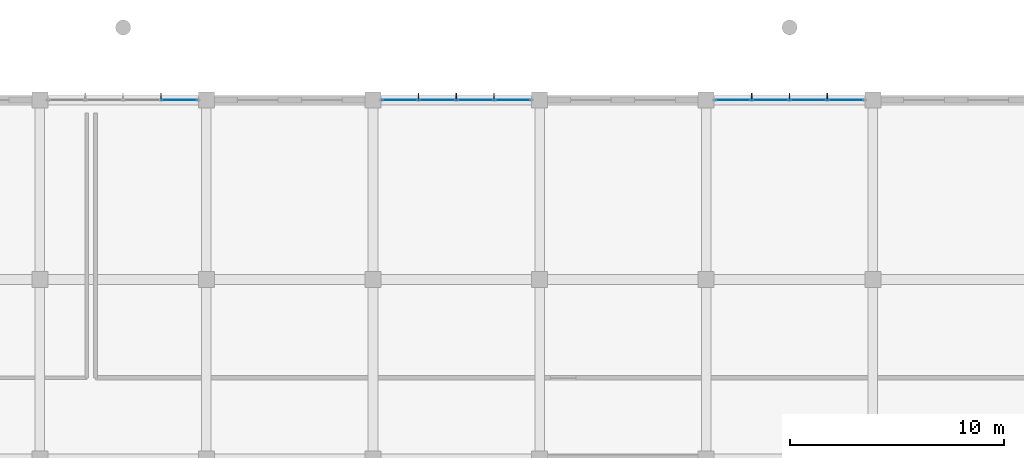
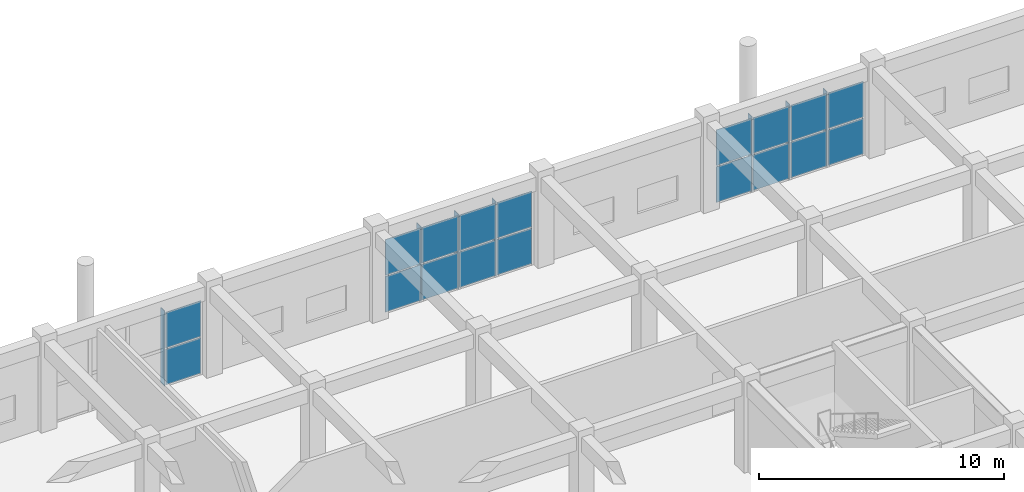
# One storey, part 148 of 167: 25 plates, 3 elements without a shape of their own.
"""IFC4 building model written with IfcOpenShell, lengths in metres."""

from ifc_helpers import new_model, si_unit, direction, frame, origin, origin_2d, place, context, subcontext, project, spatial, polyline, rectangle, outline, extrude, material, layer, layer_set, type_object, element, aggregate, save


model = new_model("IFC4")

# Units and contexts
model_context = context("Model", 3, precision=1e-05, world=origin(), true_north=direction((0.0, 1.0)))
body_context = subcontext(model_context, "Body", "Model", "MODEL_VIEW")
ifc_project = project(units=[si_unit("LENGTHUNIT", "METRE"), si_unit("AREAUNIT", "SQUARE_METRE"), si_unit("VOLUMEUNIT", "CUBIC_METRE"), si_unit("PLANEANGLEUNIT", "RADIAN"), si_unit("MASSUNIT", "GRAM", prefix="KILO")], contexts=[model_context])

# Site, building, storey
site_placement = place(None, origin())
site = spatial("IfcSite", under=ifc_project, at=site_placement, CompositionType="ELEMENT")
building_placement = place(site_placement, origin())
building = spatial("IfcBuilding", under=site, at=building_placement, Name="Zizhar Promenade General Hospital", CompositionType="ELEMENT")
storey_placement = place(building_placement, frame((0.0, 0.0, 9.60009765625)))
storey = spatial("IfcBuildingStorey", under=building, at=storey_placement, Name="L02", CompositionType="ELEMENT", Elevation=9.60009765625)

# Curtain wall, plates
ifc_material_1 = material(Name="Anodised aluminium 6063-T6 and low-E glass", Category="aluminium")
ifc_layer_1 = layer(ifc_material_1, 0.159912109375)
ifc_layer_set_1 = layer_set([ifc_layer_1], Name="Anodised aluminium 6063-T6 and low-E glass")
curtain_wall_type = type_object("IfcCurtainWallType", Name="CW-DT-MOD2", PredefinedType="NOTDEFINED", material=ifc_layer_set_1)
curtain_wall_1_placement = place(storey_placement, origin())
curtain_wall_1 = element("IfcCurtainWall", 1, at=curtain_wall_1_placement, inside=storey, type_object=curtain_wall_type, Name="Surgical North Glazed Curtain Wall L02-11", PredefinedType="NOTDEFINED")
ifc_material_2 = material(Name="Low-E solar-control glass", Category="glass")
ifc_layer_2 = layer(ifc_material_2, 0.031982421875)
ifc_layer_set_2 = layer_set([ifc_layer_2], Name="Low-E solar-control glass")
plate_type_1 = type_object("IfcPlateType", Name="CWP-GLZ-32", PredefinedType="CURTAIN_PANEL", material=ifc_layer_set_2)
plate_1_placement = place(storey_placement, frame((92.3349609375, 134.39990234375, 0.06005859375), z_axis=(0.0, 0.0, 1.0), x_axis=(1.0, 0.0, 0.0)))
plate_1 = element("IfcPlate", 2, at=plate_1_placement, type_object=plate_type_1, Name="CW-08 panel 4.1", PredefinedType="CURTAIN_PANEL", context=body_context, shape_type="SweptSolid", body=[
    extrude(rectangle(XDim=1.64990234375, YDim=0.031982421875, at=origin_2d()), origin(), (0.0, 0.0, 1.0), 1.77490234375),
])
plate_2_placement = place(storey_placement, frame((92.3349609375, 134.39990234375, 1.89501953125), z_axis=(0.0, 0.0, 1.0), x_axis=(1.0, 0.0, 0.0)))
plate_2 = element("IfcPlate", 3, at=plate_2_placement, type_object=plate_type_1, Name="CW-08 panel 4.2", PredefinedType="CURTAIN_PANEL", context=body_context, shape_type="SweptSolid", body=[
    extrude(rectangle(XDim=1.64990234375, YDim=0.031982421875, at=origin_2d()), origin(), (0.0, 0.0, 1.0), 1.77490234375),
])
aggregate(curtain_wall_1, [plate_1, plate_2])

curtain_wall_2_placement = place(storey_placement, origin())
curtain_wall_2 = element("IfcCurtainWall", 4, at=curtain_wall_2_placement, inside=storey, type_object=curtain_wall_type, Name="Surgical North Glazed Curtain Wall L02-13", PredefinedType="NOTDEFINED")
plate_3_placement = place(storey_placement, frame((102.6650390625, 134.39990234375, 0.06005859375), z_axis=(0.0, 0.0, 1.0), x_axis=(1.0, 0.0, 0.0)))
plate_3 = element("IfcPlate", 5, at=plate_3_placement, type_object=plate_type_1, Name="CW-08 panel 1.1", PredefinedType="CURTAIN_PANEL", context=body_context, shape_type="SweptSolid", body=[
    extrude(rectangle(XDim=1.64990234375, YDim=0.031982421875, at=origin_2d()), origin(), (0.0, 0.0, 1.0), 1.77490234375),
])
plate_4_placement = place(storey_placement, frame((102.6650390625, 134.39990234375, 1.89501953125), z_axis=(0.0, 0.0, 1.0), x_axis=(1.0, 0.0, 0.0)))
plate_4 = element("IfcPlate", 6, at=plate_4_placement, type_object=plate_type_1, Name="CW-08 panel 1.2", PredefinedType="CURTAIN_PANEL", context=body_context, shape_type="SweptSolid", body=[
    extrude(rectangle(XDim=1.64990234375, YDim=0.031982421875, at=origin_2d()), origin(), (0.0, 0.0, 1.0), 1.77490234375),
])
plate_5_placement = place(storey_placement, frame((104.4150390625, 134.39990234375, 0.06005859375), z_axis=(0.0, 0.0, 1.0), x_axis=(1.0, 0.0, 0.0)))
plate_5 = element("IfcPlate", 7, at=plate_5_placement, type_object=plate_type_1, Name="CW-08 panel 2.1", PredefinedType="CURTAIN_PANEL", context=body_context, shape_type="SweptSolid", body=[
    extrude(rectangle(XDim=1.68994140625, YDim=0.031982421875, at=origin_2d()), origin(), (0.0, 0.0, 1.0), 1.77490234375),
])
plate_6_placement = place(storey_placement, frame((104.4150390625, 134.39990234375, 1.89501953125), z_axis=(0.0, 0.0, 1.0), x_axis=(1.0, 0.0, 0.0)))
plate_6 = element("IfcPlate", 8, at=plate_6_placement, type_object=plate_type_1, Name="CW-08 panel 2.2", PredefinedType="CURTAIN_PANEL", context=body_context, shape_type="SweptSolid", body=[
    extrude(rectangle(XDim=1.68994140625, YDim=0.031982421875, at=origin_2d()), origin(), (0.0, 0.0, 1.0), 1.77490234375),
])
plate_7_placement = place(storey_placement, frame((106.18505859375, 134.39990234375, 0.06005859375), z_axis=(0.0, 0.0, 1.0), x_axis=(1.0, 0.0, 0.0)))
plate_7 = element("IfcPlate", 9, at=plate_7_placement, type_object=plate_type_1, Name="CW-08 panel 3.1", PredefinedType="CURTAIN_PANEL", context=body_context, shape_type="SweptSolid", body=[
    extrude(rectangle(XDim=1.68994140625, YDim=0.031982421875, at=origin_2d()), origin(), (0.0, 0.0, 1.0), 1.77490234375),
])
plate_8_placement = place(storey_placement, frame((106.18505859375, 134.39990234375, 1.89501953125), z_axis=(0.0, 0.0, 1.0), x_axis=(1.0, 0.0, 0.0)))
plate_8 = element("IfcPlate", 10, at=plate_8_placement, type_object=plate_type_1, Name="CW-08 panel 3.2", PredefinedType="CURTAIN_PANEL", context=body_context, shape_type="SweptSolid", body=[
    extrude(rectangle(XDim=1.68994140625, YDim=0.031982421875, at=origin_2d()), origin(), (0.0, 0.0, 1.0), 1.77490234375),
])
plate_9_placement = place(storey_placement, frame((107.93505859375, 134.39990234375, 0.06005859375), z_axis=(0.0, 0.0, 1.0), x_axis=(1.0, 0.0, 0.0)))
plate_9 = element("IfcPlate", 11, at=plate_9_placement, type_object=plate_type_1, Name="CW-08 panel 4.1", PredefinedType="CURTAIN_PANEL", context=body_context, shape_type="SweptSolid", body=[
    extrude(rectangle(XDim=1.64990234375, YDim=0.031982421875, at=origin_2d()), origin(), (0.0, 0.0, 1.0), 1.77490234375),
])
plate_10_placement = place(storey_placement, frame((107.93505859375, 134.39990234375, 1.89501953125), z_axis=(0.0, 0.0, 1.0), x_axis=(1.0, 0.0, 0.0)))
plate_10 = element("IfcPlate", 12, at=plate_10_placement, type_object=plate_type_1, Name="CW-08 panel 4.2", PredefinedType="CURTAIN_PANEL", context=body_context, shape_type="SweptSolid", body=[
    extrude(rectangle(XDim=1.64990234375, YDim=0.031982421875, at=origin_2d()), origin(), (0.0, 0.0, 1.0), 1.77490234375),
])
aggregate(curtain_wall_2, [plate_3, plate_4, plate_5, plate_6, plate_7, plate_8, plate_9, plate_10])

curtain_wall_3_placement = place(storey_placement, origin())
curtain_wall_3 = element("IfcCurtainWall", 13, at=curtain_wall_3_placement, inside=storey, type_object=curtain_wall_type, Name="Surgical North Glazed Curtain Wall L02-15", PredefinedType="NOTDEFINED")
plate_11_placement = place(storey_placement, frame((118.264892578125, 134.39990234375, 0.06005859375), z_axis=(0.0, 0.0, 1.0), x_axis=(1.0, 0.0, 0.0)))
plate_11 = element("IfcPlate", 14, at=plate_11_placement, type_object=plate_type_1, Name="CW-08 panel 1.1", PredefinedType="CURTAIN_PANEL", context=body_context, shape_type="SweptSolid", body=[
    extrude(rectangle(XDim=1.64990234375, YDim=0.031982421875, at=origin_2d()), origin(), (0.0, 0.0, 1.0), 1.77490234375),
])
plate_12_placement = place(storey_placement, frame((118.264892578125, 134.39990234375, 1.89501953125), z_axis=(0.0, 0.0, 1.0), x_axis=(1.0, 0.0, 0.0)))
plate_12 = element("IfcPlate", 15, at=plate_12_placement, type_object=plate_type_1, Name="CW-08 panel 1.2", PredefinedType="CURTAIN_PANEL", context=body_context, shape_type="SweptSolid", body=[
    extrude(rectangle(XDim=1.64990234375, YDim=0.031982421875, at=origin_2d()), origin(), (0.0, 0.0, 1.0), 1.77490234375),
])
plate_13_placement = place(storey_placement, frame((120.014892578125, 134.39990234375, 0.06005859375), z_axis=(0.0, 0.0, 1.0), x_axis=(1.0, 0.0, 0.0)))
plate_13 = element("IfcPlate", 16, at=plate_13_placement, type_object=plate_type_1, Name="CW-08 panel 2.1", PredefinedType="CURTAIN_PANEL", context=body_context, shape_type="SweptSolid", body=[
    extrude(rectangle(XDim=1.68994140625, YDim=0.031982421875, at=origin_2d()), origin(), (0.0, 0.0, 1.0), 1.77490234375),
])
plate_14_placement = place(storey_placement, frame((120.014892578125, 134.39990234375, 1.89501953125), z_axis=(0.0, 0.0, 1.0), x_axis=(1.0, 0.0, 0.0)))
plate_14 = element("IfcPlate", 17, at=plate_14_placement, type_object=plate_type_1, Name="CW-08 panel 2.2", PredefinedType="CURTAIN_PANEL", context=body_context, shape_type="SweptSolid", body=[
    extrude(rectangle(XDim=1.68994140625, YDim=0.031982421875, at=origin_2d()), origin(), (0.0, 0.0, 1.0), 1.77490234375),
])
plate_15_placement = place(storey_placement, frame((121.784912109375, 134.39990234375, 0.06005859375), z_axis=(0.0, 0.0, 1.0), x_axis=(1.0, 0.0, 0.0)))
plate_15 = element("IfcPlate", 18, at=plate_15_placement, type_object=plate_type_1, Name="CW-08 panel 3.1", PredefinedType="CURTAIN_PANEL", context=body_context, shape_type="SweptSolid", body=[
    extrude(rectangle(XDim=1.68994140625, YDim=0.031982421875, at=origin_2d()), origin(), (0.0, 0.0, 1.0), 1.77490234375),
])
plate_16_placement = place(storey_placement, frame((121.784912109375, 134.39990234375, 1.89501953125), z_axis=(0.0, 0.0, 1.0), x_axis=(1.0, 0.0, 0.0)))
plate_16 = element("IfcPlate", 19, at=plate_16_placement, type_object=plate_type_1, Name="CW-08 panel 3.2", PredefinedType="CURTAIN_PANEL", context=body_context, shape_type="SweptSolid", body=[
    extrude(rectangle(XDim=1.68994140625, YDim=0.031982421875, at=origin_2d()), origin(), (0.0, 0.0, 1.0), 1.77490234375),
])
plate_17_placement = place(storey_placement, frame((123.534912109375, 134.39990234375, 0.06005859375), z_axis=(0.0, 0.0, 1.0), x_axis=(1.0, 0.0, 0.0)))
plate_17 = element("IfcPlate", 20, at=plate_17_placement, type_object=plate_type_1, Name="CW-08 panel 4.1", PredefinedType="CURTAIN_PANEL", context=body_context, shape_type="SweptSolid", body=[
    extrude(rectangle(XDim=1.64990234375, YDim=0.031982421875, at=origin_2d()), origin(), (0.0, 0.0, 1.0), 1.77490234375),
])
plate_18_placement = place(storey_placement, frame((123.534912109375, 134.39990234375, 1.89501953125), z_axis=(0.0, 0.0, 1.0), x_axis=(1.0, 0.0, 0.0)))
plate_18 = element("IfcPlate", 21, at=plate_18_placement, type_object=plate_type_1, Name="CW-08 panel 4.2", PredefinedType="CURTAIN_PANEL", context=body_context, shape_type="SweptSolid", body=[
    extrude(rectangle(XDim=1.64990234375, YDim=0.031982421875, at=origin_2d()), origin(), (0.0, 0.0, 1.0), 1.77490234375),
])
aggregate(curtain_wall_3, [plate_11, plate_12, plate_13, plate_14, plate_15, plate_16, plate_17, plate_18])

# Plates
ifc_material_3 = material(Name="Anodised aluminium 6063-T6", Category="aluminium")
ifc_layer_3 = layer(ifc_material_3, 0.033935546875)
ifc_layer_set_3 = layer_set([ifc_layer_3], Name="Anodised aluminium 6063-T6")
plate_type_2 = type_object("IfcPlateType", Name="FIN-ALU-320", PredefinedType="USERDEFINED", material=ifc_layer_set_3)
plate_19_placement = place(storey_placement, origin())
element("IfcPlate", 22, at=plate_19_placement, inside=storey, type_object=plate_type_2, Name="Surgical North Glazed Curtain Wall L02-11 Solar Fin 3", ObjectType="SOLAR_SHADE", PredefinedType="USERDEFINED", context=body_context, shape_type="SweptSolid", body=[
    extrude(outline(polyline([(91.452880859375, 134.39990234375), (91.487060546875, 134.39990234375), (91.487060546875, 134.719970703125), (91.452880859375, 134.719970703125), (91.452880859375, 134.39990234375)])), origin(), (0.0, 0.0, 1.0), 3.72998046875),
])
plate_20_placement = place(storey_placement, origin())
element("IfcPlate", 23, at=plate_20_placement, inside=storey, type_object=plate_type_2, Name="Surgical North Glazed Curtain Wall L02-13 Solar Fin 1", ObjectType="SOLAR_SHADE", PredefinedType="USERDEFINED", context=body_context, shape_type="SweptSolid", body=[
    extrude(outline(polyline([(103.512939453125, 134.39990234375), (103.547119140625, 134.39990234375), (103.547119140625, 134.719970703125), (103.512939453125, 134.719970703125), (103.512939453125, 134.39990234375)])), origin(), (0.0, 0.0, 1.0), 3.72998046875),
])
plate_21_placement = place(storey_placement, origin())
element("IfcPlate", 24, at=plate_21_placement, inside=storey, type_object=plate_type_2, Name="Surgical North Glazed Curtain Wall L02-13 Solar Fin 2", ObjectType="SOLAR_SHADE", PredefinedType="USERDEFINED", context=body_context, shape_type="SweptSolid", body=[
    extrude(outline(polyline([(105.282958984375, 134.39990234375), (105.31689453125, 134.39990234375), (105.31689453125, 134.719970703125), (105.282958984375, 134.719970703125), (105.282958984375, 134.39990234375)])), origin(), (0.0, 0.0, 1.0), 3.72998046875),
])
plate_22_placement = place(storey_placement, origin())
element("IfcPlate", 25, at=plate_22_placement, inside=storey, type_object=plate_type_2, Name="Surgical North Glazed Curtain Wall L02-13 Solar Fin 3", ObjectType="SOLAR_SHADE", PredefinedType="USERDEFINED", context=body_context, shape_type="SweptSolid", body=[
    extrude(outline(polyline([(107.052978515625, 134.39990234375), (107.0869140625, 134.39990234375), (107.0869140625, 134.719970703125), (107.052978515625, 134.719970703125), (107.052978515625, 134.39990234375)])), origin(), (0.0, 0.0, 1.0), 3.72998046875),
])
plate_23_placement = place(storey_placement, origin())
element("IfcPlate", 26, at=plate_23_placement, inside=storey, type_object=plate_type_2, Name="Surgical North Glazed Curtain Wall L02-15 Solar Fin 1", ObjectType="SOLAR_SHADE", PredefinedType="USERDEFINED", context=body_context, shape_type="SweptSolid", body=[
    extrude(outline(polyline([(119.113037109375, 134.39990234375), (119.14697265625, 134.39990234375), (119.14697265625, 134.719970703125), (119.113037109375, 134.719970703125), (119.113037109375, 134.39990234375)])), origin(), (0.0, 0.0, 1.0), 3.72998046875),
])
plate_24_placement = place(storey_placement, origin())
element("IfcPlate", 27, at=plate_24_placement, inside=storey, type_object=plate_type_2, Name="Surgical North Glazed Curtain Wall L02-15 Solar Fin 2", ObjectType="SOLAR_SHADE", PredefinedType="USERDEFINED", context=body_context, shape_type="SweptSolid", body=[
    extrude(outline(polyline([(120.883056640625, 134.39990234375), (120.9169921875, 134.39990234375), (120.9169921875, 134.719970703125), (120.883056640625, 134.719970703125), (120.883056640625, 134.39990234375)])), origin(), (0.0, 0.0, 1.0), 3.72998046875),
])
plate_25_placement = place(storey_placement, origin())
element("IfcPlate", 28, at=plate_25_placement, inside=storey, type_object=plate_type_2, Name="Surgical North Glazed Curtain Wall L02-15 Solar Fin 3", ObjectType="SOLAR_SHADE", PredefinedType="USERDEFINED", context=body_context, shape_type="SweptSolid", body=[
    extrude(outline(polyline([(122.653076171875, 134.39990234375), (122.68701171875, 134.39990234375), (122.68701171875, 134.719970703125), (122.653076171875, 134.719970703125), (122.653076171875, 134.39990234375)])), origin(), (0.0, 0.0, 1.0), 3.72998046875),
])

save(model, "model.ifc")
